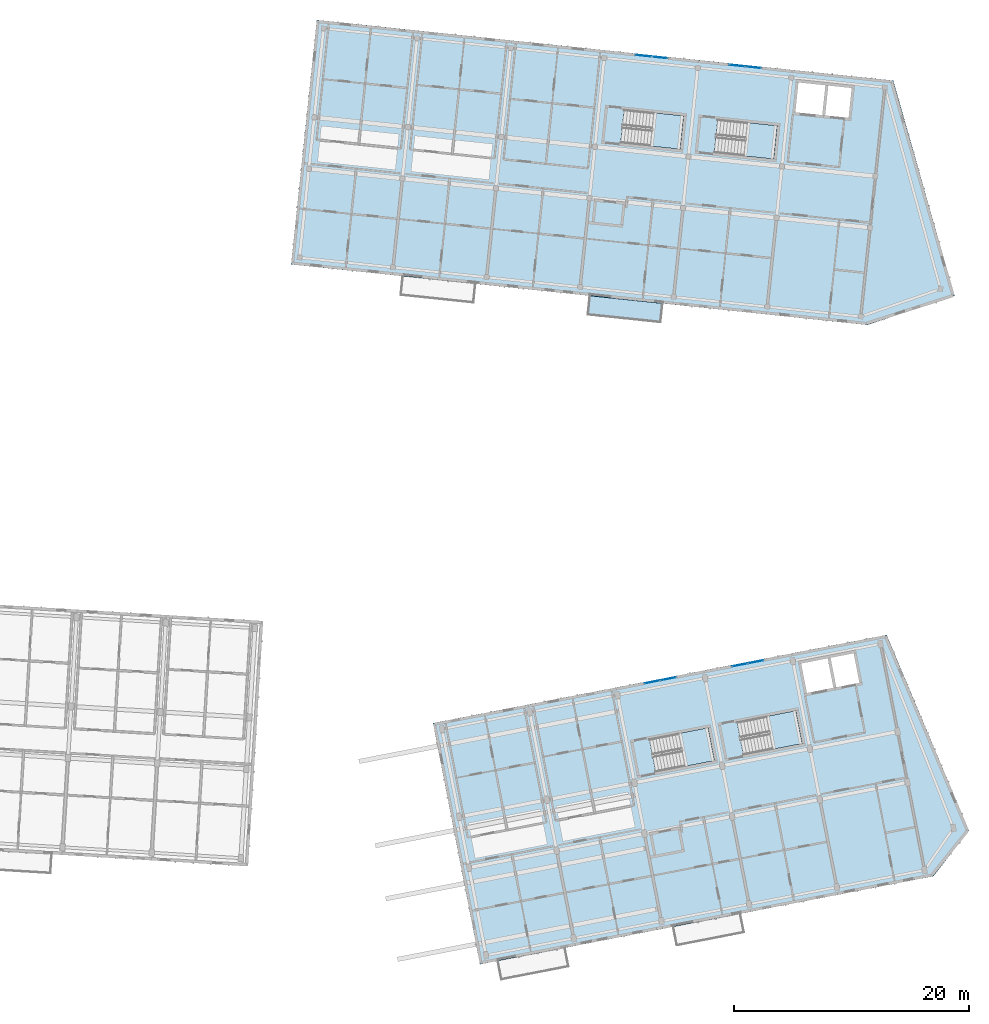
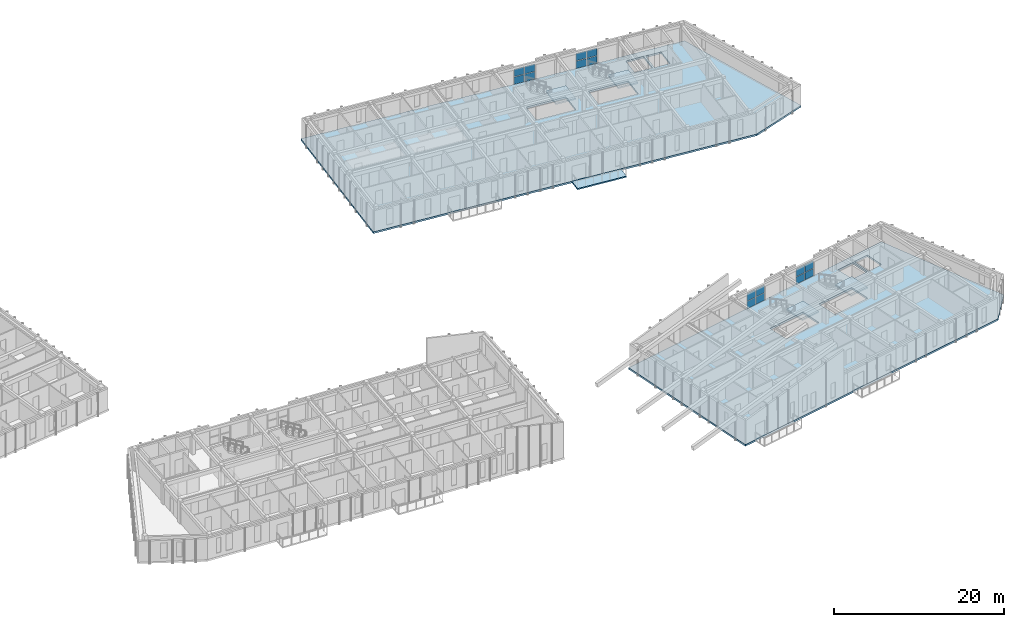
# One storey, part 19 of 64: 16 plates, 7 slabs, 8 elements without a shape of their own.
"""IFC4 building model written with IfcOpenShell, lengths in metres."""

from ifc_helpers import new_model, si_unit, direction, frame, origin, origin_2d, place, context, subcontext, project, spatial, polyline, rectangle, outline, extrude, material, layer, layer_set, type_object, element, aggregate, save


model = new_model("IFC4")

# Units and contexts
model_context = context("Model", 3, precision=1e-05, world=origin(), true_north=direction((0.0, 1.0)))
body_context = subcontext(model_context, "Body", "Model", "MODEL_VIEW")
ifc_project = project(units=[si_unit("LENGTHUNIT", "METRE"), si_unit("AREAUNIT", "SQUARE_METRE"), si_unit("VOLUMEUNIT", "CUBIC_METRE"), si_unit("PLANEANGLEUNIT", "RADIAN"), si_unit("MASSUNIT", "GRAM", prefix="KILO")], contexts=[model_context])

# Site, building, storey
site_placement = place(None, origin())
site = spatial("IfcSite", under=ifc_project, at=site_placement, CompositionType="ELEMENT")
building_placement = place(site_placement, origin())
building = spatial("IfcBuilding", under=site, at=building_placement, Name="Kestramere Prow Commons", CompositionType="ELEMENT")
storey_placement = place(building_placement, frame((0.0, 0.0, 24.64990234375)))
storey = spatial("IfcBuildingStorey", under=building, at=storey_placement, Name="L07", CompositionType="ELEMENT", Elevation=24.64990234375)

# Curtain wall, plates
ifc_material_1 = material(Name="Anodised Aluminium and Low-E Glass", Category="aluminium")
curtain_wall_type = type_object("IfcCurtainWallType", Name="CW-03 Glazed Curtain Wall 2830x2320", PredefinedType="USERDEFINED", material=ifc_material_1)
curtain_wall_1_placement = place(storey_placement, origin())
curtain_wall_1 = element("IfcCurtainWall", 1, at=curtain_wall_1_placement, inside=storey, type_object=curtain_wall_type, Name="Block B L07 Stairwell Vertical Glazing 4", ObjectType="GLAZED CURTAIN WALL", PredefinedType="USERDEFINED")
ifc_material_2 = material(Name="Low-E Laminated Double Glazing", Category="glass")
ifc_layer_1 = layer(ifc_material_2, 0.028076171875)
ifc_layer_set_1 = layer_set([ifc_layer_1], Name="Low-E Laminated Double Glazing")
plate_type = type_object("IfcPlateType", Name="CW-PNL-28", PredefinedType="CURTAIN_PANEL", material=ifc_layer_set_1)
plate_1_placement = place(storey_placement, frame((139.2626953125, 111.960205078125, 0.065185546875), z_axis=(0.0, 0.0, 1.0), x_axis=(0.994521879016, -0.104528618845, 0.0)))
plate_1 = element("IfcPlate", 2, at=plate_1_placement, type_object=plate_type, Name="CW-03 panel 1.1", PredefinedType="CURTAIN_PANEL", context=body_context, shape_type="SweptSolid", body=[
    extrude(rectangle(XDim=1.3173828125, YDim=0.028076171875, at=origin_2d()), origin(), (0.0, 0.0, 1.0), 1.0625),
])
plate_2_placement = place(storey_placement, frame((139.2626953125, 111.960205078125, 1.192626953125), z_axis=(0.0, 0.0, 1.0), x_axis=(0.994521879016, -0.104528618845, 0.0)))
plate_2 = element("IfcPlate", 3, at=plate_2_placement, type_object=plate_type, Name="CW-03 panel 1.2", PredefinedType="CURTAIN_PANEL", context=body_context, shape_type="SweptSolid", body=[
    extrude(rectangle(XDim=1.3173828125, YDim=0.028076171875, at=origin_2d()), origin(), (0.0, 0.0, 1.0), 1.0625),
])
plate_3_placement = place(storey_placement, frame((140.6376953125, 111.815673828125, 0.065185546875), z_axis=(0.0, 0.0, 1.0), x_axis=(0.994521879016, -0.104528618845, 0.0)))
plate_3 = element("IfcPlate", 4, at=plate_3_placement, type_object=plate_type, Name="CW-03 panel 2.1", PredefinedType="CURTAIN_PANEL", context=body_context, shape_type="SweptSolid", body=[
    extrude(rectangle(XDim=1.3173828125, YDim=0.028076171875, at=origin_2d()), origin(), (0.0, 0.0, 1.0), 1.0625),
])
plate_4_placement = place(storey_placement, frame((140.6376953125, 111.815673828125, 1.192626953125), z_axis=(0.0, 0.0, 1.0), x_axis=(0.994521879016, -0.104528618845, 0.0)))
plate_4 = element("IfcPlate", 5, at=plate_4_placement, type_object=plate_type, Name="CW-03 panel 2.2", PredefinedType="CURTAIN_PANEL", context=body_context, shape_type="SweptSolid", body=[
    extrude(rectangle(XDim=1.3173828125, YDim=0.028076171875, at=origin_2d()), origin(), (0.0, 0.0, 1.0), 1.0625),
])
aggregate(curtain_wall_1, [plate_1, plate_2, plate_3, plate_4])

curtain_wall_2_placement = place(storey_placement, origin())
curtain_wall_2 = element("IfcCurtainWall", 6, at=curtain_wall_2_placement, inside=storey, type_object=curtain_wall_type, Name="Block B L07 Stairwell Vertical Glazing 5", ObjectType="GLAZED CURTAIN WALL", PredefinedType="USERDEFINED")
plate_5_placement = place(storey_placement, frame((147.218994140625, 111.1240234375, 0.065185546875), z_axis=(0.0, 0.0, 1.0), x_axis=(0.99452191575, -0.104528269348, 0.0)))
plate_5 = element("IfcPlate", 7, at=plate_5_placement, type_object=plate_type, Name="CW-03 panel 1.1", PredefinedType="CURTAIN_PANEL", context=body_context, shape_type="SweptSolid", body=[
    extrude(rectangle(XDim=1.3173828125, YDim=0.028076171875, at=origin_2d()), origin(), (0.0, 0.0, 1.0), 1.0625),
])
plate_6_placement = place(storey_placement, frame((147.218994140625, 111.1240234375, 1.192626953125), z_axis=(0.0, 0.0, 1.0), x_axis=(0.99452191575, -0.104528269348, 0.0)))
plate_6 = element("IfcPlate", 8, at=plate_6_placement, type_object=plate_type, Name="CW-03 panel 1.2", PredefinedType="CURTAIN_PANEL", context=body_context, shape_type="SweptSolid", body=[
    extrude(rectangle(XDim=1.3173828125, YDim=0.028076171875, at=origin_2d()), origin(), (0.0, 0.0, 1.0), 1.0625),
])
plate_7_placement = place(storey_placement, frame((148.593994140625, 110.9794921875, 0.065185546875), z_axis=(0.0, 0.0, 1.0), x_axis=(0.99452191575, -0.104528269348, 0.0)))
plate_7 = element("IfcPlate", 9, at=plate_7_placement, type_object=plate_type, Name="CW-03 panel 2.1", PredefinedType="CURTAIN_PANEL", context=body_context, shape_type="SweptSolid", body=[
    extrude(rectangle(XDim=1.3173828125, YDim=0.028076171875, at=origin_2d()), origin(), (0.0, 0.0, 1.0), 1.0625),
])
plate_8_placement = place(storey_placement, frame((148.593994140625, 110.9794921875, 1.192626953125), z_axis=(0.0, 0.0, 1.0), x_axis=(0.99452191575, -0.104528269348, 0.0)))
plate_8 = element("IfcPlate", 10, at=plate_8_placement, type_object=plate_type, Name="CW-03 panel 2.2", PredefinedType="CURTAIN_PANEL", context=body_context, shape_type="SweptSolid", body=[
    extrude(rectangle(XDim=1.3173828125, YDim=0.028076171875, at=origin_2d()), origin(), (0.0, 0.0, 1.0), 1.0625),
])
aggregate(curtain_wall_2, [plate_5, plate_6, plate_7, plate_8])

curtain_wall_3_placement = place(storey_placement, origin())
curtain_wall_3 = element("IfcCurtainWall", 11, at=curtain_wall_3_placement, inside=storey, type_object=curtain_wall_type, Name="Block D L07 Stairwell Vertical Glazing 4", ObjectType="GLAZED CURTAIN WALL", PredefinedType="USERDEFINED")
plate_9_placement = place(storey_placement, frame((139.99267578125, 58.698974609375, 0.065185546875), z_axis=(0.0, 0.0, 1.0), x_axis=(0.981627214599, 0.190808835118, 0.0)))
plate_9 = element("IfcPlate", 12, at=plate_9_placement, type_object=plate_type, Name="CW-03 panel 1.1", PredefinedType="CURTAIN_PANEL", context=body_context, shape_type="SweptSolid", body=[
    extrude(rectangle(XDim=1.3173828125, YDim=0.028076171875, at=origin_2d()), origin(), (0.0, 0.0, 1.0), 1.0625),
])
plate_10_placement = place(storey_placement, frame((139.99267578125, 58.698974609375, 1.192626953125), z_axis=(0.0, 0.0, 1.0), x_axis=(0.981627214599, 0.190808835118, 0.0)))
plate_10 = element("IfcPlate", 13, at=plate_10_placement, type_object=plate_type, Name="CW-03 panel 1.2", PredefinedType="CURTAIN_PANEL", context=body_context, shape_type="SweptSolid", body=[
    extrude(rectangle(XDim=1.3173828125, YDim=0.028076171875, at=origin_2d()), origin(), (0.0, 0.0, 1.0), 1.0625),
])
plate_11_placement = place(storey_placement, frame((141.349853515625, 58.962646484375, 0.065185546875), z_axis=(0.0, 0.0, 1.0), x_axis=(0.981627214599, 0.190808835118, 0.0)))
plate_11 = element("IfcPlate", 14, at=plate_11_placement, type_object=plate_type, Name="CW-03 panel 2.1", PredefinedType="CURTAIN_PANEL", context=body_context, shape_type="SweptSolid", body=[
    extrude(rectangle(XDim=1.3173828125, YDim=0.028076171875, at=origin_2d()), origin(), (0.0, 0.0, 1.0), 1.0625),
])
plate_12_placement = place(storey_placement, frame((141.349853515625, 58.962646484375, 1.192626953125), z_axis=(0.0, 0.0, 1.0), x_axis=(0.981627214599, 0.190808835118, 0.0)))
plate_12 = element("IfcPlate", 15, at=plate_12_placement, type_object=plate_type, Name="CW-03 panel 2.2", PredefinedType="CURTAIN_PANEL", context=body_context, shape_type="SweptSolid", body=[
    extrude(rectangle(XDim=1.3173828125, YDim=0.028076171875, at=origin_2d()), origin(), (0.0, 0.0, 1.0), 1.0625),
])
aggregate(curtain_wall_3, [plate_9, plate_10, plate_11, plate_12])

curtain_wall_4_placement = place(storey_placement, origin())
curtain_wall_4 = element("IfcCurtainWall", 16, at=curtain_wall_4_placement, inside=storey, type_object=curtain_wall_type, Name="Block D L07 Stairwell Vertical Glazing 5", ObjectType="GLAZED CURTAIN WALL", PredefinedType="USERDEFINED")
plate_13_placement = place(storey_placement, frame((147.453125, 60.14892578125, 0.065185546875), z_axis=(0.0, 0.0, 1.0), x_axis=(0.981627214599, 0.190808835118, 0.0)))
plate_13 = element("IfcPlate", 17, at=plate_13_placement, type_object=plate_type, Name="CW-03 panel 1.1", PredefinedType="CURTAIN_PANEL", context=body_context, shape_type="SweptSolid", body=[
    extrude(rectangle(XDim=1.3173828125, YDim=0.028076171875, at=origin_2d()), origin(), (0.0, 0.0, 1.0), 1.0625),
])
plate_14_placement = place(storey_placement, frame((147.453125, 60.14892578125, 1.192626953125), z_axis=(0.0, 0.0, 1.0), x_axis=(0.981627214599, 0.190808835118, 0.0)))
plate_14 = element("IfcPlate", 18, at=plate_14_placement, type_object=plate_type, Name="CW-03 panel 1.2", PredefinedType="CURTAIN_PANEL", context=body_context, shape_type="SweptSolid", body=[
    extrude(rectangle(XDim=1.3173828125, YDim=0.028076171875, at=origin_2d()), origin(), (0.0, 0.0, 1.0), 1.0625),
])
plate_15_placement = place(storey_placement, frame((148.81005859375, 60.412841796875, 0.065185546875), z_axis=(0.0, 0.0, 1.0), x_axis=(0.981627214599, 0.190808835118, 0.0)))
plate_15 = element("IfcPlate", 19, at=plate_15_placement, type_object=plate_type, Name="CW-03 panel 2.1", PredefinedType="CURTAIN_PANEL", context=body_context, shape_type="SweptSolid", body=[
    extrude(rectangle(XDim=1.3173828125, YDim=0.028076171875, at=origin_2d()), origin(), (0.0, 0.0, 1.0), 1.0625),
])
plate_16_placement = place(storey_placement, frame((148.81005859375, 60.412841796875, 1.192626953125), z_axis=(0.0, 0.0, 1.0), x_axis=(0.981627214599, 0.190808835118, 0.0)))
plate_16 = element("IfcPlate", 20, at=plate_16_placement, type_object=plate_type, Name="CW-03 panel 2.2", PredefinedType="CURTAIN_PANEL", context=body_context, shape_type="SweptSolid", body=[
    extrude(rectangle(XDim=1.3173828125, YDim=0.028076171875, at=origin_2d()), origin(), (0.0, 0.0, 1.0), 1.0625),
])
aggregate(curtain_wall_4, [plate_13, plate_14, plate_15, plate_16])

# Slabs
ifc_material_3 = material(Name="Precast concrete C40/50", Category="concrete")
ifc_layer_2 = layer(ifc_material_3, 0.179931640625)
ifc_layer_set_2 = layer_set([ifc_layer_2], Name="Precast concrete C40/50")
slab_type_1 = type_object("IfcSlabType", Name="SL-BALC-180", PredefinedType="FLOOR", material=ifc_layer_set_2)
slab_1_placement = place(storey_placement, frame((0.0, 0.0, -0.179931640625)))
element("IfcSlab", 21, at=slab_1_placement, inside=storey, type_object=slab_type_1, Name="Block B L07 Apartment Balcony Slab 4", PredefinedType="FLOOR", context=body_context, shape_type="SweptSolid", body=[
    extrude(outline(polyline([(134.473388671875, 89.9150390625), (140.739013671875, 89.256591796875), (140.911376953125, 90.8974609375), (134.64599609375, 91.555908203125), (134.473388671875, 89.9150390625)])), origin(), (0.0, 0.0, 1.0), 0.179931640625),
])
ifc_layer_3 = layer(ifc_material_3, 0.25)
ifc_layer_set_3 = layer_set([ifc_layer_3], Name="Precast concrete C40/50")
slab_type_2 = type_object("IfcSlabType", Name="SL-HC-250", PredefinedType="FLOOR", material=ifc_layer_set_3)
slab_2_placement = place(storey_placement, frame((0.0, 0.0, -0.25)))
element("IfcSlab", 22, at=slab_2_placement, inside=storey, type_object=slab_type_2, Name="Block B L07 Hollowcore Floor Slab", PredefinedType="FLOOR", context=body_context, shape_type="SweptSolid", body=[
    extrude(outline(polyline([(109.28564453125, 94.221435546875), (158.3154296875, 89.068359375), (165.71630859375, 91.558349609375), (160.500244140625, 109.853759765625), (111.47021484375, 115.007080078125), (109.28564453125, 94.221435546875)]), holes=[polyline([(152.1728515625, 107.159423828125), (154.46044921875, 106.9189453125), (154.726806640625, 109.455078125), (152.439453125, 109.695556640625), (152.1728515625, 107.159423828125)]), polyline([(154.708984375, 106.892822265625), (156.697998046875, 106.683837890625), (156.964599609375, 109.219970703125), (154.9755859375, 109.428955078125), (154.708984375, 106.892822265625)]), polyline([(137.318603515625, 104.5478515625), (142.390625, 104.0146484375), (142.6884765625, 106.84912109375), (137.616455078125, 107.38232421875), (137.318603515625, 104.5478515625)]), polyline([(145.274658203125, 103.711669921875), (150.346923828125, 103.178466796875), (150.644775390625, 106.012939453125), (145.57275390625, 106.5458984375), (145.274658203125, 103.711669921875)])]), origin(), (0.0, 0.0, 1.0), 0.25),
])
slab_3_placement = place(storey_placement, frame((0.0, 0.0, -0.25)))
element("IfcSlab", 23, at=slab_3_placement, inside=storey, type_object=slab_type_2, Name="Block D L07 Hollowcore Floor Slab", PredefinedType="FLOOR", context=body_context, shape_type="SweptSolid", body=[
    extrude(outline(polyline([(125.346435546875, 34.68798828125), (163.92431640625, 42.186767578125), (166.936279296875, 46.083251953125), (159.936279296875, 62.702880859375), (121.3583984375, 55.2041015625), (125.346435546875, 34.68798828125)]), holes=[polyline([(153.1533203125, 57.767822265625), (155.4111328125, 58.206787109375), (154.924560546875, 60.7099609375), (152.666748046875, 60.27099609375), (153.1533203125, 57.767822265625)]), polyline([(155.656494140625, 58.25439453125), (157.619873046875, 58.63623046875), (157.13330078125, 61.13916015625), (155.169921875, 60.757568359375), (155.656494140625, 58.25439453125)]), polyline([(140.300537109375, 51.0419921875), (145.306884765625, 52.01513671875), (144.76318359375, 54.812744140625), (139.7568359375, 53.839599609375), (140.300537109375, 51.0419921875)]), polyline([(147.760986328125, 52.4921875), (152.767333984375, 53.46533203125), (152.223388671875, 56.262939453125), (147.21728515625, 55.289794921875), (147.760986328125, 52.4921875)])]), origin(), (0.0, 0.0, 1.0), 0.25),
])

# Stair, slab
ifc_material_4 = material(Name="Concrete C40/50", Category="concrete")
stair_type = type_object("IfcStairType", Name="ST-DOG-1350", PredefinedType="HALF_TURN_STAIR", material=ifc_material_4)
stair_1_placement = place(storey_placement, origin())
stair_1 = element("IfcStair", 24, at=stair_1_placement, inside=storey, type_object=stair_type, Name="L07 Block B Exit Stair 1", PredefinedType="HALF_TURN_STAIR")
ifc_layer_4 = layer(ifc_material_4, 0.199951171875)
ifc_layer_set_4 = layer_set([ifc_layer_4], Name="Concrete C40/50")
slab_type_3 = type_object("IfcSlabType", Name="SL-ST-LAND-200", PredefinedType="LANDING", material=ifc_layer_set_4)
slab_4_placement = place(storey_placement, frame((0.0, 0.0, 1.425048828125)))
slab_4 = element("IfcSlab", 25, at=slab_4_placement, type_object=slab_type_3, Name="ST-B1 landing 1", PredefinedType="LANDING", context=body_context, shape_type="SweptSolid", body=[
    extrude(outline(polyline([(139.82470703125, 104.284423828125), (142.390625, 104.0146484375), (142.6884765625, 106.84912109375), (140.122802734375, 107.118896484375), (139.82470703125, 104.284423828125)])), origin(), (0.0, 0.0, 1.0), 0.199951171875),
])
aggregate(stair_1, [slab_4])

stair_2_placement = place(storey_placement, origin())
stair_2 = element("IfcStair", 26, at=stair_2_placement, inside=storey, type_object=stair_type, Name="L07 Block B Exit Stair 2", PredefinedType="HALF_TURN_STAIR")
slab_5_placement = place(storey_placement, frame((0.0, 0.0, 1.425048828125)))
slab_5 = element("IfcSlab", 27, at=slab_5_placement, type_object=slab_type_3, Name="ST-B2 landing 1", PredefinedType="LANDING", context=body_context, shape_type="SweptSolid", body=[
    extrude(outline(polyline([(147.781005859375, 103.4482421875), (150.346923828125, 103.178466796875), (150.644775390625, 106.012939453125), (148.078857421875, 106.282470703125), (147.781005859375, 103.4482421875)])), origin(), (0.0, 0.0, 1.0), 0.199951171875),
])
aggregate(stair_2, [slab_5])

stair_3_placement = place(storey_placement, origin())
stair_3 = element("IfcStair", 28, at=stair_3_placement, inside=storey, type_object=stair_type, Name="L07 Block D Exit Stair 1", PredefinedType="HALF_TURN_STAIR")
slab_6_placement = place(storey_placement, frame((0.0, 0.0, 1.425048828125)))
slab_6 = element("IfcSlab", 29, at=slab_6_placement, type_object=slab_type_3, Name="ST-D1 landing 1", PredefinedType="LANDING", context=body_context, shape_type="SweptSolid", body=[
    extrude(outline(polyline([(142.7744140625, 51.522705078125), (145.306884765625, 52.01513671875), (144.76318359375, 54.812744140625), (142.23046875, 54.3203125), (142.7744140625, 51.522705078125)])), origin(), (0.0, 0.0, 1.0), 0.199951171875),
])
aggregate(stair_3, [slab_6])

stair_4_placement = place(storey_placement, origin())
stair_4 = element("IfcStair", 30, at=stair_4_placement, inside=storey, type_object=stair_type, Name="L07 Block D Exit Stair 2", PredefinedType="HALF_TURN_STAIR")
slab_7_placement = place(storey_placement, frame((0.0, 0.0, 1.425048828125)))
slab_7 = element("IfcSlab", 31, at=slab_7_placement, type_object=slab_type_3, Name="ST-D2 landing 1", PredefinedType="LANDING", context=body_context, shape_type="SweptSolid", body=[
    extrude(outline(polyline([(150.234619140625, 52.972900390625), (152.767333984375, 53.46533203125), (152.223388671875, 56.262939453125), (149.69091796875, 55.7705078125), (150.234619140625, 52.972900390625)])), origin(), (0.0, 0.0, 1.0), 0.199951171875),
])
aggregate(stair_4, [slab_7])

save(model, "model.ifc")
